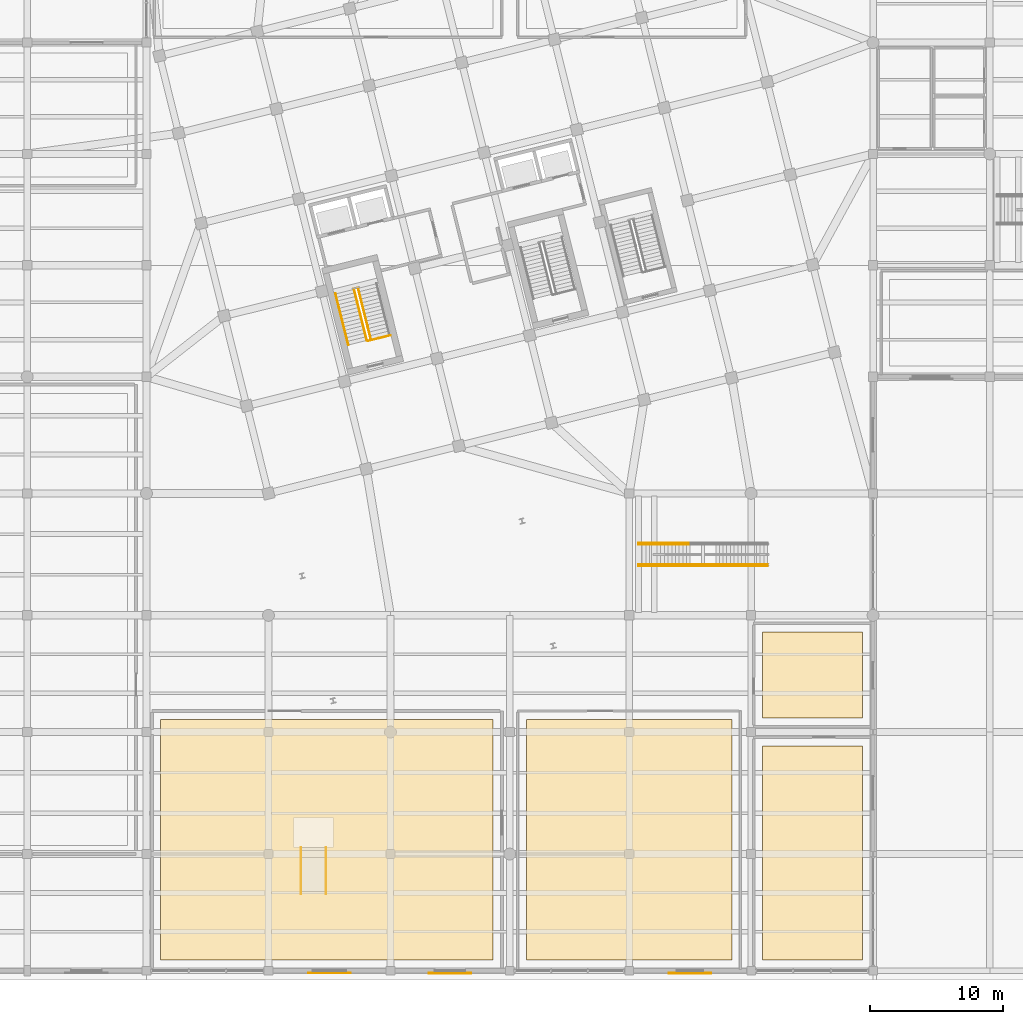
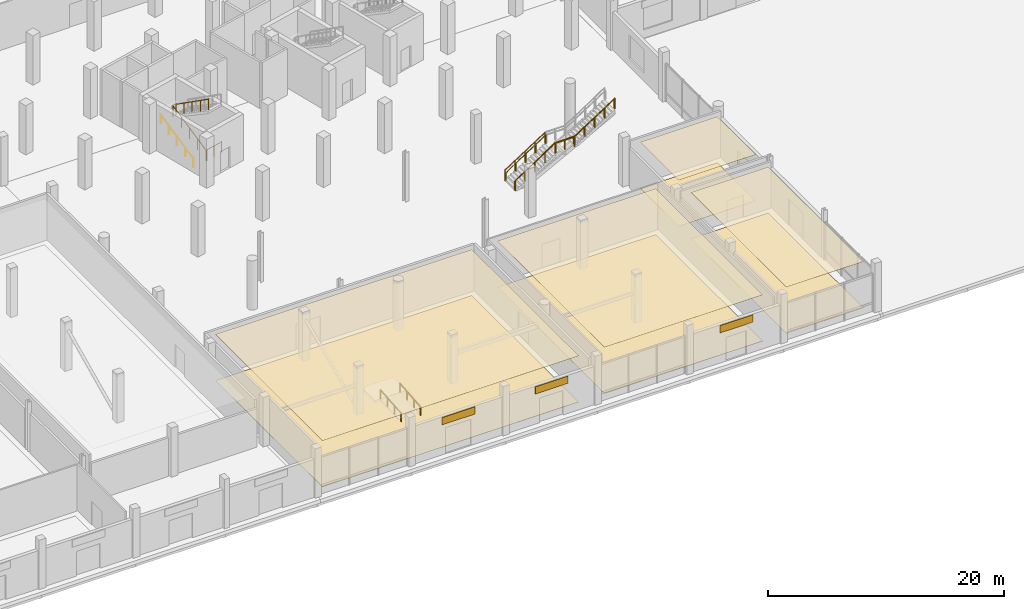
# One storey, part 68 of 73: 14 railings, 11 coverings.
"""IFC4 building model written with IfcOpenShell, lengths in metres."""

from ifc_helpers import new_model, si_unit, direction, frame, origin, origin_2d, place, context, subcontext, project, spatial, polyline, rectangle, circle, outline, extrude, material, layer, layer_set, type_object, element, save


model = new_model("IFC4")

# Units and contexts
model_context = context("Model", 3, precision=1e-05, world=origin(), true_north=direction((0.0, 1.0)))
body_context = subcontext(model_context, "Body", "Model", "MODEL_VIEW")
ifc_project = project(units=[si_unit("LENGTHUNIT", "METRE"), si_unit("AREAUNIT", "SQUARE_METRE"), si_unit("VOLUMEUNIT", "CUBIC_METRE"), si_unit("PLANEANGLEUNIT", "RADIAN"), si_unit("MASSUNIT", "GRAM", prefix="KILO")], contexts=[model_context])

# Site, building, storey
site_placement = place(None, origin())
site = spatial("IfcSite", under=ifc_project, at=site_placement, CompositionType="ELEMENT")
building_placement = place(site_placement, origin())
building = spatial("IfcBuilding", under=site, at=building_placement, Name="Meriwether Solvik Hall", CompositionType="ELEMENT")
storey_placement = place(building_placement, origin())
storey = spatial("IfcBuildingStorey", under=building, at=storey_placement, Name="L00", CompositionType="ELEMENT", Elevation=0.0)

# Coverings
ifc_material_1 = material(Name="Micro-Perforated Rift White Oak Timber", Category="wood")
ifc_layer_1 = layer(ifc_material_1, 0.02490234375)
ifc_layer_set_1 = layer_set([ifc_layer_1], Name="Micro-Perforated Rift White Oak Timber")
covering_type_1 = type_object("IfcCoveringType", Name="COV-CEIL-AC", PredefinedType="CEILING", material=ifc_layer_set_1)
covering_1_placement = place(storey_placement, frame((0.0, 0.0, 4.77490234375)))
element("IfcCovering", 1, at=covering_1_placement, inside=storey, type_object=covering_type_1, Name="Main Hall Acoustic Soffit Ceiling", PredefinedType="CEILING", context=body_context, shape_type="SweptSolid", body=[
    extrude(outline(polyline([(85.550048828125, 24.14990234375), (85.550048828125, 6.0), (60.449951171875, 6.0), (60.449951171875, 24.14990234375), (85.550048828125, 24.14990234375)])), origin(), (0.0, 0.0, 1.0), 0.025146484375),
])
covering_2_placement = place(storey_placement, frame((0.0, 0.0, 4.77490234375)))
element("IfcCovering", 2, at=covering_2_placement, inside=storey, type_object=covering_type_1, Name="Commercial Kitchen Acoustic Soffit Ceiling", PredefinedType="CEILING", context=body_context, shape_type="SweptSolid", body=[
    extrude(outline(polyline([(105.85009765625, 6.0), (105.85009765625, 22.14990234375), (113.39990234375, 22.14990234375), (113.39990234375, 6.0), (105.85009765625, 6.0)])), origin(), (0.0, 0.0, 1.0), 0.025146484375),
])
ifc_material_2 = material(Name="Moisture-Resistant Gypsum Board", Category="gypsum")
ifc_layer_2 = layer(ifc_material_2, 0.01806640625)
ifc_layer_set_2 = layer_set([ifc_layer_2], Name="Moisture-Resistant Gypsum Board")
covering_type_2 = type_object("IfcCoveringType", Name="COV-CEIL-GYP", PredefinedType="CEILING", material=ifc_layer_set_2)
covering_3_placement = place(storey_placement, frame((0.0, 0.0, 4.781982421875)))
element("IfcCovering", 3, at=covering_3_placement, inside=storey, type_object=covering_type_2, Name="Dining Hall Acoustic Soffit Ceiling", PredefinedType="CEILING", context=body_context, shape_type="SweptSolid", body=[
    extrude(outline(polyline([(103.550048828125, 24.14990234375), (103.550048828125, 6.0), (88.050048828125, 6.0), (88.050048828125, 24.14990234375), (103.550048828125, 24.14990234375)])), origin(), (0.0, 0.0, 1.0), 0.01806640625),
])
covering_4_placement = place(storey_placement, frame((0.0, 0.0, 4.781982421875)))
element("IfcCovering", 4, at=covering_4_placement, inside=storey, type_object=covering_type_2, Name="Fire Command Centre Acoustic Soffit Ceiling", PredefinedType="CEILING", context=body_context, shape_type="SweptSolid", body=[
    extrude(outline(polyline([(105.85009765625, 30.75), (113.39990234375, 30.75), (113.39990234375, 24.25), (105.85009765625, 24.25), (105.85009765625, 30.75)])), origin(), (0.0, 0.0, 1.0), 0.01806640625),
])
ifc_material_3 = material(Name="Glazed Extruded Terracotta Ceramic", Category="masonry")
ifc_layer_3 = layer(ifc_material_3, 0.044921875)
ifc_layer_set_3 = layer_set([ifc_layer_3], Name="Glazed Extruded Terracotta Ceramic")
covering_type_3 = type_object("IfcCoveringType", Name="COV-CLAD-TERRA", PredefinedType="CLADDING", material=ifc_layer_set_3)
for number, where, z_axis, x_axis, name in (
    (5, (73.199951171875, 5.02490234375, 3.139892578125), (0.0, 0.0, 1.0), (-1.0, 0.0, 0.0), "L00 Facade Cladding XA_8_7"),
    (6, (82.300048828125, 5.012451171875, 3.139892578125), (0.0, 0.0, 1.0), (-1.0, 0.0, 0.0), "L00 Facade Cladding XA_9_8"),
    (7, (100.39990234375, 5.012451171875, 3.139892578125), (0.0, 0.0, 1.0), (-1.0, 0.0, 0.0), "L00 Facade Cladding XA_11_10"),
):
    element("IfcCovering", number, at=place(storey_placement, frame(where, z_axis=z_axis, x_axis=x_axis)), inside=storey, type_object=covering_type_3, Name=name, PredefinedType="CLADDING", context=body_context, shape_type="SweptSolid", body=[
        extrude(rectangle(XDim=3.199951171875, YDim=0.044921875, at=origin_2d()), origin(), (0.0, 0.0, 1.0), 0.75),
    ])
ifc_material_4 = material(Name="Solid White Oak Strip Timber", Category="wood")
ifc_layer_4 = layer(ifc_material_4, 0.028076171875)
ifc_layer_set_4 = layer_set([ifc_layer_4], Name="Solid White Oak Strip Timber")
covering_type_4 = type_object("IfcCoveringType", Name="COV-FLR-OAK", PredefinedType="FLOORING", material=ifc_layer_set_4)
covering_5_placement = place(storey_placement, origin())
element("IfcCovering", 8, at=covering_5_placement, inside=storey, type_object=covering_type_4, Name="Main Hall Finish Flooring", PredefinedType="FLOORING", context=body_context, shape_type="SweptSolid", body=[
    extrude(outline(polyline([(85.550048828125, 24.14990234375), (85.550048828125, 6.0), (60.449951171875, 6.0), (60.449951171875, 24.14990234375), (85.550048828125, 24.14990234375)])), origin(), (0.0, 0.0, 1.0), 0.028076171875),
])
covering_6_placement = place(storey_placement, origin())
element("IfcCovering", 9, at=covering_6_placement, inside=storey, type_object=covering_type_4, Name="Dining Hall Finish Flooring", PredefinedType="FLOORING", context=body_context, shape_type="SweptSolid", body=[
    extrude(outline(polyline([(103.550048828125, 24.14990234375), (103.550048828125, 6.0), (88.050048828125, 6.0), (88.050048828125, 24.14990234375), (103.550048828125, 24.14990234375)])), origin(), (0.0, 0.0, 1.0), 0.028076171875),
])
ifc_material_5 = material(Name="Polished Recycled-Aggregate Terrazzo", Category="stone")
ifc_layer_5 = layer(ifc_material_5, 0.02001953125)
ifc_layer_set_5 = layer_set([ifc_layer_5], Name="Polished Recycled-Aggregate Terrazzo")
covering_type_5 = type_object("IfcCoveringType", Name="COV-FLR-TERR", PredefinedType="FLOORING", material=ifc_layer_set_5)
covering_7_placement = place(storey_placement, origin())
element("IfcCovering", 10, at=covering_7_placement, inside=storey, type_object=covering_type_5, Name="Commercial Kitchen Finish Flooring", PredefinedType="FLOORING", context=body_context, shape_type="SweptSolid", body=[
    extrude(outline(polyline([(105.85009765625, 6.0), (105.85009765625, 22.14990234375), (113.39990234375, 22.14990234375), (113.39990234375, 6.0), (105.85009765625, 6.0)])), origin(), (0.0, 0.0, 1.0), 0.02001953125),
])
covering_8_placement = place(storey_placement, origin())
element("IfcCovering", 11, at=covering_8_placement, inside=storey, type_object=covering_type_5, Name="Fire Command Centre Finish Flooring", PredefinedType="FLOORING", context=body_context, shape_type="SweptSolid", body=[
    extrude(outline(polyline([(105.85009765625, 30.75), (113.39990234375, 30.75), (113.39990234375, 24.25), (105.85009765625, 24.25), (105.85009765625, 30.75)])), origin(), (0.0, 0.0, 1.0), 0.02001953125),
])

# Railings
ifc_material_6 = material(Name="Steel A36 Galvanised", Category="steel")
ifc_layer_6 = layer(ifc_material_6, 0.054931640625)
ifc_layer_set_6 = layer_set([ifc_layer_6], Name="Steel A36 Galvanised")
railing_type_1 = type_object("IfcRailingType", Name="RAIL-STR-GUARD", PredefinedType="GUARDRAIL", material=ifc_layer_set_6)
railing_1_placement = place(storey_placement, frame((76.092041015625, 52.69384765625, 0.0)))
element("IfcRailing", 12, at=railing_1_placement, inside=storey, type_object=railing_type_1, Name="Stair ST-01 Well Guardrail (L00)", PredefinedType="GUARDRAIL", context=body_context, shape_type="SweptSolid", body=[
    extrude(circle(Radius=0.02392578125, at=origin_2d()), frame((0.0, 0.0, 1.09619140625), z_axis=(0.970298223594, 0.241911879182, 0.0), x_axis=(-0.241911879182, 0.970298223594, 0.0)), (0.0, 0.0, 1.0), 1.75),
    extrude(circle(Radius=0.02099609375, at=origin_2d()), origin(), (0.0, 0.0, 1.0), 1.072021484375),
    extrude(circle(Radius=0.02099609375, at=origin_2d()), frame((0.84912109375, 0.211669921875, 0.0)), (0.0, 0.0, 1.0), 1.072021484375),
    extrude(circle(Radius=0.02099609375, at=origin_2d()), frame((1.697998046875, 0.42333984375, 0.0)), (0.0, 0.0, 1.0), 1.072021484375),
])
railing_2_placement = place(storey_placement, frame((76.019287109375, 52.737548828125, 0.0)))
element("IfcRailing", 13, at=railing_2_placement, inside=storey, type_object=railing_type_1, Name="Stair ST-01 Flight 1 Inner Guardrail (L00)", PredefinedType="GUARDRAIL", context=body_context, shape_type="SweptSolid", body=[
    extrude(circle(Radius=0.02392578125, at=origin_2d()), frame((0.0, 0.0, 1.09619140625), z_axis=(-0.203855519954, 0.817587464702, 0.538510598361), x_axis=(-0.970293478038, -0.24193091261, 0.0)), (0.0, 0.0, 1.0), 4.7353515625),
    extrude(circle(Radius=0.02099609375, at=origin_2d()), origin(), (0.0, 0.0, 1.0), 1.072021484375),
    extrude(circle(Radius=0.02099609375, at=origin_2d()), frame((-0.2412109375, 0.9677734375, 0.637451171875)), (0.0, 0.0, 1.0), 1.072021484375),
    extrude(circle(Radius=0.02099609375, at=origin_2d()), frame((-0.482666015625, 1.935791015625, 1.27490234375)), (0.0, 0.0, 1.0), 1.072021484375),
    extrude(circle(Radius=0.02099609375, at=origin_2d()), frame((-0.72412109375, 2.90380859375, 1.91259765625)), (0.0, 0.0, 1.0), 1.072021484375),
    extrude(circle(Radius=0.02099609375, at=origin_2d()), frame((-0.96533203125, 3.87158203125, 2.550048828125)), (0.0, 0.0, 1.0), 1.072021484375),
])
railing_3_placement = place(storey_placement, frame((75.364501953125, 56.6865234375, 2.550048828125)))
element("IfcRailing", 14, at=railing_3_placement, inside=storey, type_object=railing_type_1, Name="Stair ST-01 Flight 2 Inner Guardrail (L00)", PredefinedType="GUARDRAIL", context=body_context, shape_type="SweptSolid", body=[
    extrude(circle(Radius=0.02392578125, at=origin_2d()), frame((0.0, 0.0, 1.09619140625), z_axis=(0.203806104941, -0.817596056705, 0.538516257553), x_axis=(0.970307839674, 0.241873306232, 0.0)), (0.0, 0.0, 1.0), 4.7353515625),
    extrude(circle(Radius=0.02099609375, at=origin_2d()), origin(), (0.0, 0.0, 1.0), 1.072021484375),
    extrude(circle(Radius=0.02099609375, at=origin_2d()), frame((0.2412109375, -0.9677734375, 0.637451171875)), (0.0, 0.0, 1.0), 1.072021484375),
    extrude(circle(Radius=0.02099609375, at=origin_2d()), frame((0.482421875, -1.935791015625, 1.27490234375)), (0.0, 0.0, 1.0), 1.072021484375),
    extrude(circle(Radius=0.02099609375, at=origin_2d()), frame((0.723876953125, -2.90380859375, 1.91259765625)), (0.0, 0.0, 1.0), 1.072021484375),
    extrude(circle(Radius=0.02099609375, at=origin_2d()), frame((0.965087890625, -3.87158203125, 2.550048828125)), (0.0, 0.0, 1.0), 1.072021484375),
])
railing_4_placement = place(storey_placement, frame((96.5, 35.72998046875, 0.0)))
element("IfcRailing", 15, at=railing_4_placement, inside=storey, type_object=railing_type_1, Name="Stair ST-AT1 Guardrail L 1", PredefinedType="GUARDRAIL", context=body_context, shape_type="SweptSolid", body=[
    extrude(circle(Radius=0.02392578125, at=origin_2d()), frame((0.0, 0.0, 1.09619140625), z_axis=(0.838233101087, 0.0, 0.545312083345), x_axis=(0.0, 1.0, 0.0)), (0.0, 0.0, 1.0), 4.63818359375),
    extrude(circle(Radius=0.02099609375, at=origin_2d()), origin(), (0.0, 0.0, 1.0), 1.072021484375),
    extrude(circle(Radius=0.02099609375, at=origin_2d()), frame((0.971923828125, 0.0, 0.63232421875)), (0.0, 0.0, 1.0), 1.072021484375),
    extrude(circle(Radius=0.02099609375, at=origin_2d()), frame((1.94384765625, 0.0, 1.2646484375)), (0.0, 0.0, 1.0), 1.072021484375),
    extrude(circle(Radius=0.02099609375, at=origin_2d()), frame((2.916015625, 0.0, 1.89697265625)), (0.0, 0.0, 1.0), 1.072021484375),
    extrude(circle(Radius=0.02099609375, at=origin_2d()), frame((3.887939453125, 0.0, 2.529296875)), (0.0, 0.0, 1.0), 1.072021484375),
])
railing_5_placement = place(storey_placement, frame((100.451904296875, 35.72998046875, 2.550048828125)))
element("IfcRailing", 16, at=railing_5_placement, inside=storey, type_object=railing_type_1, Name="Stair ST-AT1 Guardrail L 2", PredefinedType="GUARDRAIL", context=body_context, shape_type="SweptSolid", body=[
    extrude(circle(Radius=0.02392578125, at=origin_2d()), frame((0.0, 0.0, 1.09619140625), z_axis=(1.0, 0.0, 0.0), x_axis=(0.0, 1.0, 0.0)), (0.0, 0.0, 1.0), 1.836181640625),
    extrude(circle(Radius=0.02099609375, at=origin_2d()), origin(), (0.0, 0.0, 1.0), 1.072021484375),
    extrude(circle(Radius=0.02099609375, at=origin_2d()), frame((0.91796875, 0.0, 0.0)), (0.0, 0.0, 1.0), 1.072021484375),
    extrude(circle(Radius=0.02099609375, at=origin_2d()), frame((1.836181640625, 0.0, 0.0)), (0.0, 0.0, 1.0), 1.072021484375),
])
for number, where, name in (
    (17, (102.35205078125, 35.72998046875, 2.57080078125), "Stair ST-AT1 Guardrail L 3"),
    (18, (96.5, 37.469970703125, 0.0), "Stair ST-AT1 Guardrail R 1"),
):
    element("IfcRailing", number, at=place(storey_placement, frame(where)), inside=storey, type_object=railing_type_1, Name=name, PredefinedType="GUARDRAIL", context=body_context, shape_type="SweptSolid", body=[
        extrude(circle(Radius=0.02392578125, at=origin_2d()), frame((0.0, 0.0, 1.09619140625), z_axis=(0.838233101087, 0.0, 0.545312083345), x_axis=(0.0, 1.0, 0.0)), (0.0, 0.0, 1.0), 4.63818359375),
        extrude(circle(Radius=0.02099609375, at=origin_2d()), origin(), (0.0, 0.0, 1.0), 1.072021484375),
        extrude(circle(Radius=0.02099609375, at=origin_2d()), frame((0.971923828125, 0.0, 0.63232421875)), (0.0, 0.0, 1.0), 1.072021484375),
        extrude(circle(Radius=0.02099609375, at=origin_2d()), frame((1.94384765625, 0.0, 1.2646484375)), (0.0, 0.0, 1.0), 1.072021484375),
        extrude(circle(Radius=0.02099609375, at=origin_2d()), frame((2.916015625, 0.0, 1.89697265625)), (0.0, 0.0, 1.0), 1.072021484375),
        extrude(circle(Radius=0.02099609375, at=origin_2d()), frame((3.887939453125, 0.0, 2.529296875)), (0.0, 0.0, 1.0), 1.072021484375),
    ])
ifc_material_7 = material(Name="Stainless Steel AISI 316", Category="steel")
ifc_layer_7 = layer(ifc_material_7, 0.044921875)
ifc_layer_set_7 = layer_set([ifc_layer_7], Name="Stainless Steel AISI 316")
railing_type_2 = type_object("IfcRailingType", Name="RAIL-STR-HAND", PredefinedType="HANDRAIL", material=ifc_layer_set_7)
railing_6_placement = place(storey_placement, frame((74.6220703125, 52.38916015625, 0.0)))
element("IfcRailing", 19, at=railing_6_placement, inside=storey, type_object=railing_type_2, Name="Stair ST-01 Lower Handrail (L00)", PredefinedType="HANDRAIL", context=body_context, shape_type="SweptSolid", body=[
    extrude(circle(Radius=0.02392578125, at=origin_2d()), frame((0.0, 0.0, 0.89599609375), z_axis=(-0.203869449911, 0.8175885692, 0.538503647997), x_axis=(-0.970289673933, -0.24194616893, 0.0)), (0.0, 0.0, 1.0), 4.7421875),
    extrude(circle(Radius=0.02099609375, at=origin_2d()), origin(), (0.0, 0.0, 1.0), 0.871826171875),
    extrude(circle(Radius=0.02099609375, at=origin_2d()), frame((-0.24169921875, 0.96923828125, 0.638427734375)), (0.0, 0.0, 1.0), 0.871826171875),
    extrude(circle(Radius=0.02099609375, at=origin_2d()), frame((-0.4833984375, 1.9384765625, 1.27685546875)), (0.0, 0.0, 1.0), 0.871826171875),
    extrude(circle(Radius=0.02099609375, at=origin_2d()), frame((-0.72509765625, 2.907958984375, 1.915283203125)), (0.0, 0.0, 1.0), 0.871826171875),
    extrude(circle(Radius=0.02099609375, at=origin_2d()), frame((-0.966796875, 3.877197265625, 2.5537109375)), (0.0, 0.0, 1.0), 0.871826171875),
])
railing_7_placement = place(storey_placement, frame((96.5, 35.85009765625, 0.0)))
element("IfcRailing", 20, at=railing_7_placement, inside=storey, type_object=railing_type_2, Name="Stair ST-AT1 Handrail L 1", PredefinedType="HANDRAIL", context=body_context, shape_type="SweptSolid", body=[
    extrude(circle(Radius=0.02392578125, at=origin_2d()), frame((0.0, 0.0, 0.89599609375), z_axis=(0.838244673968, 0.0, 0.545294293538), x_axis=(0.0, 1.0, 0.0)), (0.0, 0.0, 1.0), 4.68359375),
    extrude(circle(Radius=0.02099609375, at=origin_2d()), origin(), (0.0, 0.0, 1.0), 0.871826171875),
    extrude(circle(Radius=0.02099609375, at=origin_2d()), frame((0.9814453125, 0.0, 0.638427734375)), (0.0, 0.0, 1.0), 0.871826171875),
    extrude(circle(Radius=0.02099609375, at=origin_2d()), frame((1.962890625, 0.0, 1.27685546875)), (0.0, 0.0, 1.0), 0.871826171875),
    extrude(circle(Radius=0.02099609375, at=origin_2d()), frame((2.944580078125, 0.0, 1.91552734375)), (0.0, 0.0, 1.0), 0.871826171875),
    extrude(circle(Radius=0.02099609375, at=origin_2d()), frame((3.926025390625, 0.0, 2.553955078125)), (0.0, 0.0, 1.0), 0.871826171875),
])
railing_8_placement = place(storey_placement, frame((100.485107421875, 35.85009765625, 2.550048828125)))
element("IfcRailing", 21, at=railing_8_placement, inside=storey, type_object=railing_type_2, Name="Stair ST-AT1 Handrail L 2", PredefinedType="HANDRAIL", context=body_context, shape_type="SweptSolid", body=[
    extrude(circle(Radius=0.02392578125, at=origin_2d()), frame((0.0, 0.0, 0.89599609375), z_axis=(1.0, 0.0, 0.0), x_axis=(0.0, 1.0, 0.0)), (0.0, 0.0, 1.0), 1.769775390625),
    extrude(circle(Radius=0.02099609375, at=origin_2d()), origin(), (0.0, 0.0, 1.0), 0.871826171875),
    extrude(circle(Radius=0.02099609375, at=origin_2d()), frame((0.884765625, 0.0, 0.0)), (0.0, 0.0, 1.0), 0.871826171875),
    extrude(circle(Radius=0.02099609375, at=origin_2d()), frame((1.769775390625, 0.0, 0.0)), (0.0, 0.0, 1.0), 0.871826171875),
])
railing_9_placement = place(storey_placement, frame((102.320068359375, 35.85009765625, 2.550048828125)))
element("IfcRailing", 22, at=railing_9_placement, inside=storey, type_object=railing_type_2, Name="Stair ST-AT1 Handrail L 3", PredefinedType="HANDRAIL", context=body_context, shape_type="SweptSolid", body=[
    extrude(circle(Radius=0.02392578125, at=origin_2d()), frame((0.0, 0.0, 0.89599609375), z_axis=(0.83825300136, 0.0, 0.545281492178), x_axis=(0.0, 1.0, 0.0)), (0.0, 0.0, 1.0), 4.683349609375),
    extrude(circle(Radius=0.02099609375, at=origin_2d()), origin(), (0.0, 0.0, 1.0), 0.871826171875),
    extrude(circle(Radius=0.02099609375, at=origin_2d()), frame((0.9814453125, 0.0, 0.638427734375)), (0.0, 0.0, 1.0), 0.871826171875),
    extrude(circle(Radius=0.02099609375, at=origin_2d()), frame((1.962890625, 0.0, 1.27685546875)), (0.0, 0.0, 1.0), 0.871826171875),
    extrude(circle(Radius=0.02099609375, at=origin_2d()), frame((2.9443359375, 0.0, 1.915283203125)), (0.0, 0.0, 1.0), 0.871826171875),
    extrude(circle(Radius=0.02099609375, at=origin_2d()), frame((3.92578125, 0.0, 2.5537109375)), (0.0, 0.0, 1.0), 0.871826171875),
])
railing_10_placement = place(storey_placement, frame((96.5, 37.35009765625, 0.0)))
element("IfcRailing", 23, at=railing_10_placement, inside=storey, type_object=railing_type_2, Name="Stair ST-AT1 Handrail R 1", PredefinedType="HANDRAIL", context=body_context, shape_type="SweptSolid", body=[
    extrude(circle(Radius=0.02392578125, at=origin_2d()), frame((0.0, 0.0, 0.89599609375), z_axis=(0.838244673968, 0.0, 0.545294293538), x_axis=(0.0, 1.0, 0.0)), (0.0, 0.0, 1.0), 4.68359375),
    extrude(circle(Radius=0.02099609375, at=origin_2d()), origin(), (0.0, 0.0, 1.0), 0.871826171875),
    extrude(circle(Radius=0.02099609375, at=origin_2d()), frame((0.9814453125, 0.0, 0.638427734375)), (0.0, 0.0, 1.0), 0.871826171875),
    extrude(circle(Radius=0.02099609375, at=origin_2d()), frame((1.962890625, 0.0, 1.27685546875)), (0.0, 0.0, 1.0), 0.871826171875),
    extrude(circle(Radius=0.02099609375, at=origin_2d()), frame((2.944580078125, 0.0, 1.91552734375)), (0.0, 0.0, 1.0), 0.871826171875),
    extrude(circle(Radius=0.02099609375, at=origin_2d()), frame((3.926025390625, 0.0, 2.553955078125)), (0.0, 0.0, 1.0), 0.871826171875),
])
for number, where, name in (
    (24, (71.050048828125, 11.0, 0.0), "Accessible Ramp AR2 Handrail W"),
    (25, (72.949951171875, 11.0, 0.0), "Accessible Ramp AR2 Handrail E"),
):
    element("IfcRailing", number, at=place(storey_placement, frame(where)), inside=storey, type_object=railing_type_2, Name=name, PredefinedType="HANDRAIL", context=body_context, shape_type="SweptSolid", body=[
        extrude(circle(Radius=0.02392578125, at=origin_2d()), frame((0.0, 0.0, 0.89599609375), z_axis=(0.0, 0.996814615237, 0.079753513091), x_axis=(-1.0, 0.0, 0.0)), (0.0, 0.0, 1.0), 3.51123046875),
        extrude(circle(Radius=0.02099609375, at=origin_2d()), origin(), (0.0, 0.0, 1.0), 0.871826171875),
        extrude(circle(Radius=0.02099609375, at=origin_2d()), frame((0.0, 1.166748046875, 0.09326171875)), (0.0, 0.0, 1.0), 0.871826171875),
        extrude(circle(Radius=0.02099609375, at=origin_2d()), frame((0.0, 2.333251953125, 0.186767578125)), (0.0, 0.0, 1.0), 0.871826171875),
        extrude(circle(Radius=0.02099609375, at=origin_2d()), frame((0.0, 3.5, 0.280029296875)), (0.0, 0.0, 1.0), 0.871826171875),
    ])

save(model, "model.ifc")
